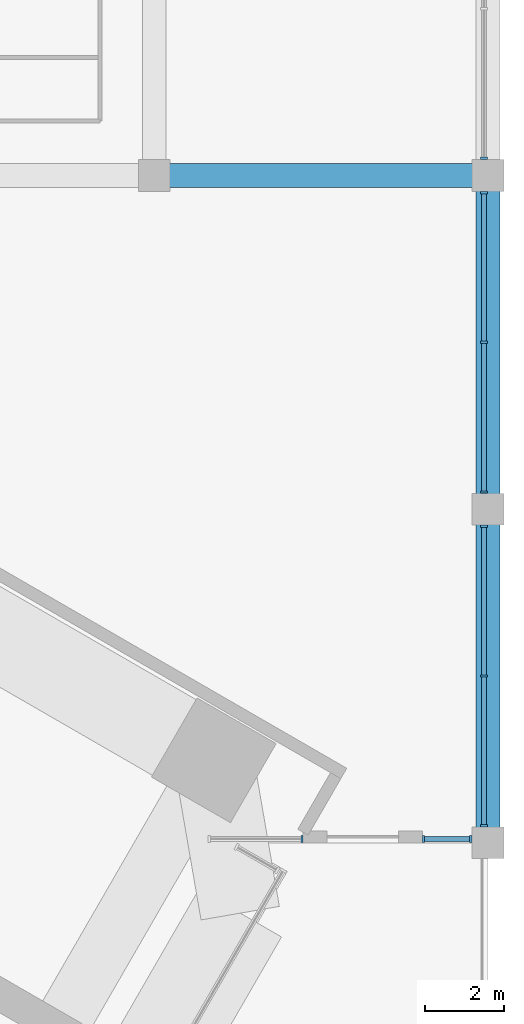
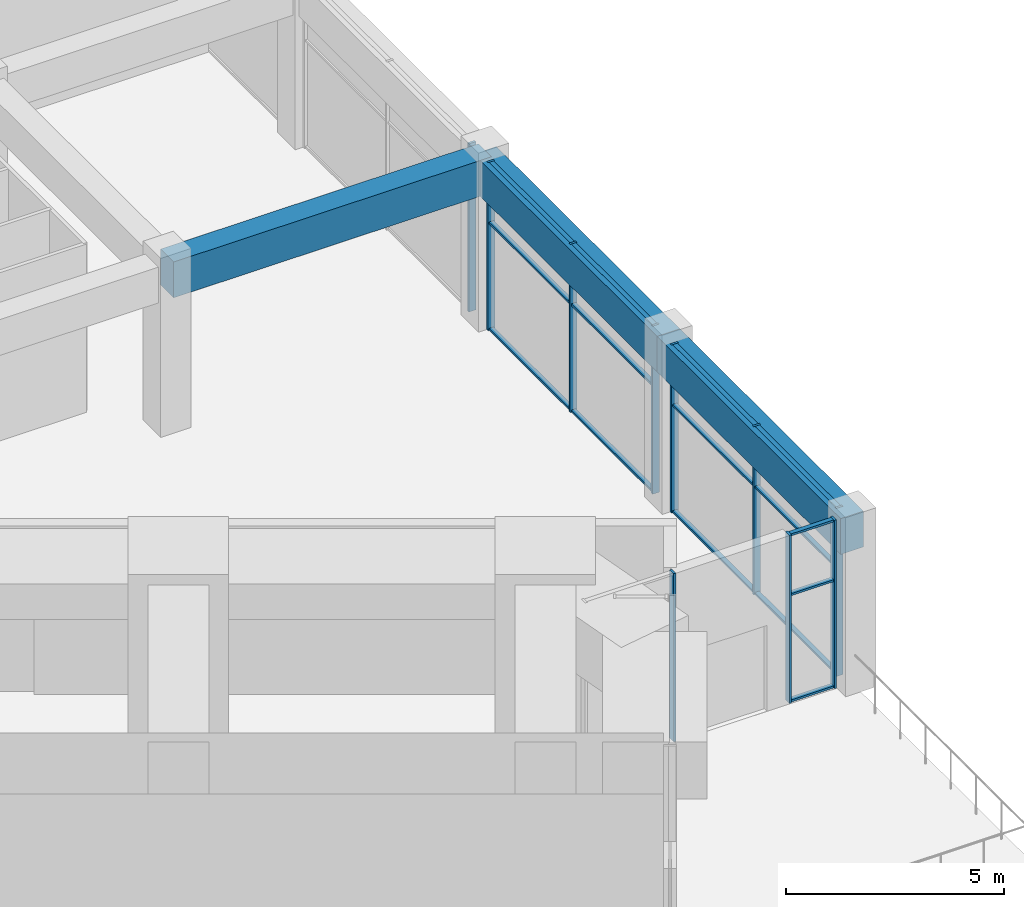
# One storey, part 14 of 34: 25 members, 3 beams, 5 elements without a shape of their own.
"""IFC4 building model written with IfcOpenShell, lengths in metres."""

from ifc_helpers import new_model, si_unit, direction, frame, origin, origin_2d, place, context, subcontext, project, spatial, rectangle, extrude, material, material_profile, profile_set, type_object, element, aggregate, save


model = new_model("IFC4")

# Units and contexts
model_context = context("Model", 3, precision=1e-05, world=origin(), true_north=direction((0.0, 1.0)))
body_context = subcontext(model_context, "Body", "Model", "MODEL_VIEW")
ifc_project = project(units=[si_unit("LENGTHUNIT", "METRE"), si_unit("AREAUNIT", "SQUARE_METRE"), si_unit("VOLUMEUNIT", "CUBIC_METRE"), si_unit("PLANEANGLEUNIT", "RADIAN"), si_unit("MASSUNIT", "GRAM", prefix="KILO")], contexts=[model_context])

# Site, building, storey
site_placement = place(None, origin())
site = spatial("IfcSite", under=ifc_project, at=site_placement, CompositionType="ELEMENT")
building_placement = place(site_placement, origin())
building = spatial("IfcBuilding", under=site, at=building_placement, Name="Impinga Residences", CompositionType="ELEMENT")
storey_placement = place(building_placement, frame((0.0, 0.0, 16.0)))
storey = spatial("IfcBuildingStorey", under=building, at=storey_placement, Name="L03", CompositionType="ELEMENT", Elevation=16.0)

# Curtain wall, member
ifc_material_1 = material(Name="Aluminium stick curtain wall", Category="aluminium")
curtain_wall_type = type_object("IfcCurtainWallType", Name="CW1 podium amenity curtain wall", PredefinedType="USERDEFINED", material=ifc_material_1)
curtain_wall_1_placement = place(storey_placement, origin())
curtain_wall_1 = element("IfcCurtainWall", 1, at=curtain_wall_1_placement, inside=storey, type_object=curtain_wall_type, Name="Curtain wall CW1 L03", ObjectType="STICK CURTAIN WALL", PredefinedType="USERDEFINED")
ifc_material_2 = material(Name="Aluminium mullion", Category="aluminium")
ifc_material_profile_1 = material_profile(ifc_material_2, rectangle(XDim=0.06005859375, YDim=0.179931640625, at=origin_2d()), Name="60x180 mullion")
ifc_profile_set_1 = profile_set([ifc_material_profile_1], Name="Aluminium mullion")
member_type_1 = type_object("IfcMemberType", Name="CW1-M mullion 60x180", PredefinedType="MULLION", material=ifc_profile_set_1)
member_1_placement = place(storey_placement, frame((50.300048828125, 0.43310546875, 0.0), z_axis=(0.0, 0.0, 1.0), x_axis=(0.0, -1.0, 0.0)))
member_1 = element("IfcMember", 2, at=member_1_placement, type_object=member_type_1, Name="CW1 mullion 3", PredefinedType="MULLION", context=body_context, shape_type="SweptSolid", body=[
    extrude(rectangle(XDim=0.06005859375, YDim=0.179931640625, at=origin_2d()), origin(), (0.0, 0.0, 1.0), 4.699951171875),
])
aggregate(curtain_wall_1, [member_1])

# Curtain wall, members
curtain_wall_2_placement = place(storey_placement, origin())
curtain_wall_2 = element("IfcCurtainWall", 3, at=curtain_wall_2_placement, inside=storey, type_object=curtain_wall_type, Name="Curtain wall CW1 L03", ObjectType="STICK CURTAIN WALL", PredefinedType="USERDEFINED")
member_2_placement = place(storey_placement, frame((50.300048828125, -0.43310546875, 0.0), z_axis=(0.0, 0.0, 1.0), x_axis=(0.0, -1.0, 0.0)))
member_2 = element("IfcMember", 4, at=member_2_placement, type_object=member_type_1, Name="CW1 mullion 1", PredefinedType="MULLION", context=body_context, shape_type="SweptSolid", body=[
    extrude(rectangle(XDim=0.06005859375, YDim=0.179931640625, at=origin_2d()), origin(), (0.0, 0.0, 1.0), 4.699951171875),
])
member_3_placement = place(storey_placement, frame((50.300048828125, -4.199951171875, 0.0), z_axis=(0.0, 0.0, 1.0), x_axis=(0.0, -1.0, 0.0)))
member_3 = element("IfcMember", 5, at=member_3_placement, type_object=member_type_1, Name="CW1 mullion 2", PredefinedType="MULLION", context=body_context, shape_type="SweptSolid", body=[
    extrude(rectangle(XDim=0.06005859375, YDim=0.179931640625, at=origin_2d()), origin(), (0.0, 0.0, 1.0), 4.699951171875),
])
member_4_placement = place(storey_placement, frame((50.300048828125, -7.967041015625, 0.0), z_axis=(0.0, 0.0, 1.0), x_axis=(0.0, -1.0, 0.0)))
member_4 = element("IfcMember", 6, at=member_4_placement, type_object=member_type_1, Name="CW1 mullion 3", PredefinedType="MULLION", context=body_context, shape_type="SweptSolid", body=[
    extrude(rectangle(XDim=0.06005859375, YDim=0.179931640625, at=origin_2d()), origin(), (0.0, 0.0, 1.0), 4.699951171875),
])

curtain_wall_3_placement = place(storey_placement, origin())
curtain_wall_3 = element("IfcCurtainWall", 7, at=curtain_wall_3_placement, inside=storey, type_object=curtain_wall_type, Name="Curtain wall CW1 L03", ObjectType="STICK CURTAIN WALL", PredefinedType="USERDEFINED")
member_5_placement = place(storey_placement, frame((50.300048828125, -8.8330078125, 0.0), z_axis=(0.0, 0.0, 1.0), x_axis=(0.0, -1.0, 0.0)))
member_5 = element("IfcMember", 8, at=member_5_placement, type_object=member_type_1, Name="CW1 mullion 1", PredefinedType="MULLION", context=body_context, shape_type="SweptSolid", body=[
    extrude(rectangle(XDim=0.06005859375, YDim=0.179931640625, at=origin_2d()), origin(), (0.0, 0.0, 1.0), 4.699951171875),
])
member_6_placement = place(storey_placement, frame((50.300048828125, -12.60009765625, 0.0), z_axis=(0.0, 0.0, 1.0), x_axis=(0.0, -1.0, 0.0)))
member_6 = element("IfcMember", 9, at=member_6_placement, type_object=member_type_1, Name="CW1 mullion 2", PredefinedType="MULLION", context=body_context, shape_type="SweptSolid", body=[
    extrude(rectangle(XDim=0.06005859375, YDim=0.179931640625, at=origin_2d()), origin(), (0.0, 0.0, 1.0), 4.699951171875),
])
member_7_placement = place(storey_placement, frame((50.300048828125, -16.366943359375, 0.0), z_axis=(0.0, 0.0, 1.0), x_axis=(0.0, -1.0, 0.0)))
member_7 = element("IfcMember", 10, at=member_7_placement, type_object=member_type_1, Name="CW1 mullion 3", PredefinedType="MULLION", context=body_context, shape_type="SweptSolid", body=[
    extrude(rectangle(XDim=0.06005859375, YDim=0.179931640625, at=origin_2d()), origin(), (0.0, 0.0, 1.0), 4.699951171875),
])

curtain_wall_4_placement = place(storey_placement, origin())
curtain_wall_4 = element("IfcCurtainWall", 11, at=curtain_wall_4_placement, inside=storey, type_object=curtain_wall_type, Name="Curtain wall CW1 L03", ObjectType="STICK CURTAIN WALL", PredefinedType="USERDEFINED")
member_8_placement = place(storey_placement, frame((49.967041015625, -16.699951171875, 0.0), z_axis=(0.0, 0.0, 1.0), x_axis=(-1.0, 0.0, 0.0)))
member_8 = element("IfcMember", 12, at=member_8_placement, type_object=member_type_1, Name="CW1 mullion 1", PredefinedType="MULLION", context=body_context, shape_type="SweptSolid", body=[
    extrude(rectangle(XDim=0.06005859375, YDim=0.179931640625, at=origin_2d()), origin(), (0.0, 0.0, 1.0), 4.699951171875),
])
member_9_placement = place(storey_placement, frame((48.779296875, -16.699951171875, 0.0), z_axis=(0.0, 0.0, 1.0), x_axis=(-1.0, 0.0, 0.0)))
member_9 = element("IfcMember", 13, at=member_9_placement, type_object=member_type_1, Name="CW1 mullion 2", PredefinedType="MULLION", context=body_context, shape_type="SweptSolid", body=[
    extrude(rectangle(XDim=0.06005859375, YDim=0.179931640625, at=origin_2d()), origin(), (0.0, 0.0, 1.0), 4.699951171875),
])

# Curtain wall, member
curtain_wall_5_placement = place(storey_placement, origin())
curtain_wall_5 = element("IfcCurtainWall", 14, at=curtain_wall_5_placement, inside=storey, type_object=curtain_wall_type, Name="Curtain wall CW1 L03", ObjectType="STICK CURTAIN WALL", PredefinedType="USERDEFINED")
member_10_placement = place(storey_placement, frame((45.71923828125, -16.699951171875, 0.0), z_axis=(0.0, 0.0, 1.0), x_axis=(-1.0, 0.0, 0.0)))
member_10 = element("IfcMember", 15, at=member_10_placement, type_object=member_type_1, Name="CW1 mullion 1", PredefinedType="MULLION", context=body_context, shape_type="SweptSolid", body=[
    extrude(rectangle(XDim=0.06005859375, YDim=0.179931640625, at=origin_2d()), origin(), (0.0, 0.0, 1.0), 4.699951171875),
])
aggregate(curtain_wall_5, [member_10])

# Member
ifc_material_3 = material(Name="Aluminium transom", Category="aluminium")
ifc_material_profile_2 = material_profile(ifc_material_3, rectangle(XDim=0.06005859375, YDim=0.1201171875, at=origin_2d()), Name="60x120 transom")
ifc_profile_set_2 = profile_set([ifc_material_profile_2], Name="Aluminium transom")
member_type_2 = type_object("IfcMemberType", Name="CW1-T transom 60x120", PredefinedType="USERDEFINED", material=ifc_profile_set_2)
member_11_placement = place(storey_placement, frame((50.300048828125, -0.462890625, 0.030029296875), z_axis=(0.0, -1.0, 0.0), x_axis=(0.0, 0.0, 1.0)))
member_11 = element("IfcMember", 16, at=member_11_placement, type_object=member_type_2, Name="CW1 transom 1.1", ObjectType="TRANSOM", PredefinedType="USERDEFINED", context=body_context, shape_type="SweptSolid", body=[
    extrude(rectangle(XDim=0.06005859375, YDim=0.1201171875, at=origin_2d()), origin(), (0.0, 0.0, 1.0), 3.70703125),
])

member_12_placement = place(storey_placement, frame((50.300048828125, -0.462890625, 3.0), z_axis=(0.0, -1.0, 0.0), x_axis=(0.0, 0.0, 1.0)))
member_12 = element("IfcMember", 17, at=member_12_placement, type_object=member_type_2, Name="CW1 transom 1.2", ObjectType="TRANSOM", PredefinedType="USERDEFINED", context=body_context, shape_type="SweptSolid", body=[
    extrude(rectangle(XDim=0.06005859375, YDim=0.1201171875, at=origin_2d()), origin(), (0.0, 0.0, 1.0), 3.70703125),
])

member_13_placement = place(storey_placement, frame((50.300048828125, -0.462890625, 4.669921875), z_axis=(0.0, -1.0, 0.0), x_axis=(0.0, 0.0, 1.0)))
member_13 = element("IfcMember", 18, at=member_13_placement, type_object=member_type_2, Name="CW1 transom 1.3", ObjectType="TRANSOM", PredefinedType="USERDEFINED", context=body_context, shape_type="SweptSolid", body=[
    extrude(rectangle(XDim=0.06005859375, YDim=0.1201171875, at=origin_2d()), origin(), (0.0, 0.0, 1.0), 3.70703125),
])

member_14_placement = place(storey_placement, frame((50.300048828125, -4.22998046875, 0.030029296875), z_axis=(0.0, -1.0, 0.0), x_axis=(0.0, 0.0, 1.0)))
member_14 = element("IfcMember", 19, at=member_14_placement, type_object=member_type_2, Name="CW1 transom 2.1", ObjectType="TRANSOM", PredefinedType="USERDEFINED", context=body_context, shape_type="SweptSolid", body=[
    extrude(rectangle(XDim=0.06005859375, YDim=0.1201171875, at=origin_2d()), origin(), (0.0, 0.0, 1.0), 3.70703125),
])

member_15_placement = place(storey_placement, frame((50.300048828125, -4.22998046875, 3.0), z_axis=(0.0, -1.0, 0.0), x_axis=(0.0, 0.0, 1.0)))
member_15 = element("IfcMember", 20, at=member_15_placement, type_object=member_type_2, Name="CW1 transom 2.2", ObjectType="TRANSOM", PredefinedType="USERDEFINED", context=body_context, shape_type="SweptSolid", body=[
    extrude(rectangle(XDim=0.06005859375, YDim=0.1201171875, at=origin_2d()), origin(), (0.0, 0.0, 1.0), 3.70703125),
])

member_16_placement = place(storey_placement, frame((50.300048828125, -4.22998046875, 4.669921875), z_axis=(0.0, -1.0, 0.0), x_axis=(0.0, 0.0, 1.0)))
member_16 = element("IfcMember", 21, at=member_16_placement, type_object=member_type_2, Name="CW1 transom 2.3", ObjectType="TRANSOM", PredefinedType="USERDEFINED", context=body_context, shape_type="SweptSolid", body=[
    extrude(rectangle(XDim=0.06005859375, YDim=0.1201171875, at=origin_2d()), origin(), (0.0, 0.0, 1.0), 3.70703125),
])

aggregate(curtain_wall_2, [member_2, member_3, member_4, member_11, member_12, member_13, member_14, member_15, member_16])

member_17_placement = place(storey_placement, frame((50.300048828125, -8.863037109375, 0.030029296875), z_axis=(0.0, -1.0, 0.0), x_axis=(0.0, 0.0, 1.0)))
member_17 = element("IfcMember", 22, at=member_17_placement, type_object=member_type_2, Name="CW1 transom 1.1", ObjectType="TRANSOM", PredefinedType="USERDEFINED", context=body_context, shape_type="SweptSolid", body=[
    extrude(rectangle(XDim=0.06005859375, YDim=0.1201171875, at=origin_2d()), origin(), (0.0, 0.0, 1.0), 3.70703125),
])

member_18_placement = place(storey_placement, frame((50.300048828125, -8.863037109375, 3.0), z_axis=(0.0, -1.0, 0.0), x_axis=(0.0, 0.0, 1.0)))
member_18 = element("IfcMember", 23, at=member_18_placement, type_object=member_type_2, Name="CW1 transom 1.2", ObjectType="TRANSOM", PredefinedType="USERDEFINED", context=body_context, shape_type="SweptSolid", body=[
    extrude(rectangle(XDim=0.06005859375, YDim=0.1201171875, at=origin_2d()), origin(), (0.0, 0.0, 1.0), 3.70703125),
])

member_19_placement = place(storey_placement, frame((50.300048828125, -8.863037109375, 4.669921875), z_axis=(0.0, -1.0, 0.0), x_axis=(0.0, 0.0, 1.0)))
member_19 = element("IfcMember", 24, at=member_19_placement, type_object=member_type_2, Name="CW1 transom 1.3", ObjectType="TRANSOM", PredefinedType="USERDEFINED", context=body_context, shape_type="SweptSolid", body=[
    extrude(rectangle(XDim=0.06005859375, YDim=0.1201171875, at=origin_2d()), origin(), (0.0, 0.0, 1.0), 3.70703125),
])

member_20_placement = place(storey_placement, frame((50.300048828125, -12.6298828125, 0.030029296875), z_axis=(0.0, -1.0, 0.0), x_axis=(0.0, 0.0, 1.0)))
member_20 = element("IfcMember", 25, at=member_20_placement, type_object=member_type_2, Name="CW1 transom 2.1", ObjectType="TRANSOM", PredefinedType="USERDEFINED", context=body_context, shape_type="SweptSolid", body=[
    extrude(rectangle(XDim=0.06005859375, YDim=0.1201171875, at=origin_2d()), origin(), (0.0, 0.0, 1.0), 3.70703125),
])

member_21_placement = place(storey_placement, frame((50.300048828125, -12.6298828125, 3.0), z_axis=(0.0, -1.0, 0.0), x_axis=(0.0, 0.0, 1.0)))
member_21 = element("IfcMember", 26, at=member_21_placement, type_object=member_type_2, Name="CW1 transom 2.2", ObjectType="TRANSOM", PredefinedType="USERDEFINED", context=body_context, shape_type="SweptSolid", body=[
    extrude(rectangle(XDim=0.06005859375, YDim=0.1201171875, at=origin_2d()), origin(), (0.0, 0.0, 1.0), 3.70703125),
])

member_22_placement = place(storey_placement, frame((50.300048828125, -12.6298828125, 4.669921875), z_axis=(0.0, -1.0, 0.0), x_axis=(0.0, 0.0, 1.0)))
member_22 = element("IfcMember", 27, at=member_22_placement, type_object=member_type_2, Name="CW1 transom 2.3", ObjectType="TRANSOM", PredefinedType="USERDEFINED", context=body_context, shape_type="SweptSolid", body=[
    extrude(rectangle(XDim=0.06005859375, YDim=0.1201171875, at=origin_2d()), origin(), (0.0, 0.0, 1.0), 3.70703125),
])

aggregate(curtain_wall_3, [member_5, member_6, member_7, member_17, member_18, member_19, member_20, member_21, member_22])

member_23_placement = place(storey_placement, frame((49.93701171875, -16.699951171875, 0.030029296875), z_axis=(-1.0, 0.0, 0.0), x_axis=(0.0, 0.0, 1.0)))
member_23 = element("IfcMember", 28, at=member_23_placement, type_object=member_type_2, Name="CW1 transom 1.1", ObjectType="TRANSOM", PredefinedType="USERDEFINED", context=body_context, shape_type="SweptSolid", body=[
    extrude(rectangle(XDim=0.06005859375, YDim=0.1201171875, at=origin_2d()), origin(), (0.0, 0.0, 1.0), 1.127685546875),
])

member_24_placement = place(storey_placement, frame((49.93701171875, -16.699951171875, 3.0), z_axis=(-1.0, 0.0, 0.0), x_axis=(0.0, 0.0, 1.0)))
member_24 = element("IfcMember", 29, at=member_24_placement, type_object=member_type_2, Name="CW1 transom 1.2", ObjectType="TRANSOM", PredefinedType="USERDEFINED", context=body_context, shape_type="SweptSolid", body=[
    extrude(rectangle(XDim=0.06005859375, YDim=0.1201171875, at=origin_2d()), origin(), (0.0, 0.0, 1.0), 1.127685546875),
])

member_25_placement = place(storey_placement, frame((49.93701171875, -16.699951171875, 4.669921875), z_axis=(-1.0, 0.0, 0.0), x_axis=(0.0, 0.0, 1.0)))
member_25 = element("IfcMember", 30, at=member_25_placement, type_object=member_type_2, Name="CW1 transom 1.3", ObjectType="TRANSOM", PredefinedType="USERDEFINED", context=body_context, shape_type="SweptSolid", body=[
    extrude(rectangle(XDim=0.06005859375, YDim=0.1201171875, at=origin_2d()), origin(), (0.0, 0.0, 1.0), 1.127685546875),
])

aggregate(curtain_wall_4, [member_8, member_9, member_23, member_24, member_25])

# Beams
ifc_material_4 = material(Name="Concrete C60/75", Category="concrete")
ifc_material_profile_3 = material_profile(ifc_material_4, rectangle(XDim=0.60009765625, YDim=1.0, at=origin_2d()), Name="RC 600x1000")
ifc_profile_set_3 = profile_set([ifc_material_profile_3], Name="Concrete C60/75")
beam_type = type_object("IfcBeamType", Name="PB2 600x1000 podium beam", PredefinedType="BEAM", material=ifc_profile_set_3)
beam_1_placement = place(storey_placement, frame((42.0, 0.0, 4.199951171875), z_axis=(1.0, 0.0, 0.0), x_axis=(0.0, 1.0, 0.0)))
element("IfcBeam", 31, at=beam_1_placement, inside=storey, type_object=beam_type, Name="Beam PB2 F/12-13 level L04", PredefinedType="BEAM", context=body_context, shape_type="SweptSolid", body=[
    extrude(rectangle(XDim=0.60009765625, YDim=1.0, at=origin_2d()), origin(), (0.0, 0.0, 1.0), 8.39990234375),
])
beam_2_placement = place(storey_placement, frame((50.39990234375, -16.800048828125, 4.199951171875), z_axis=(0.0, 1.0, 0.0), x_axis=(-1.0, 0.0, 0.0)))
element("IfcBeam", 32, at=beam_2_placement, inside=storey, type_object=beam_type, Name="Beam PB2 13/D-E level L04", PredefinedType="BEAM", context=body_context, shape_type="SweptSolid", body=[
    extrude(rectangle(XDim=0.60009765625, YDim=1.0, at=origin_2d()), origin(), (0.0, 0.0, 1.0), 8.400146484375),
])
beam_3_placement = place(storey_placement, frame((50.39990234375, -8.39990234375, 4.199951171875), z_axis=(0.0, 1.0, 0.0), x_axis=(-1.0, 0.0, 0.0)))
element("IfcBeam", 33, at=beam_3_placement, inside=storey, type_object=beam_type, Name="Beam PB2 13/E-F level L04", PredefinedType="BEAM", context=body_context, shape_type="SweptSolid", body=[
    extrude(rectangle(XDim=0.60009765625, YDim=1.0, at=origin_2d()), origin(), (0.0, 0.0, 1.0), 8.39990234375),
])

save(model, "model.ifc")
